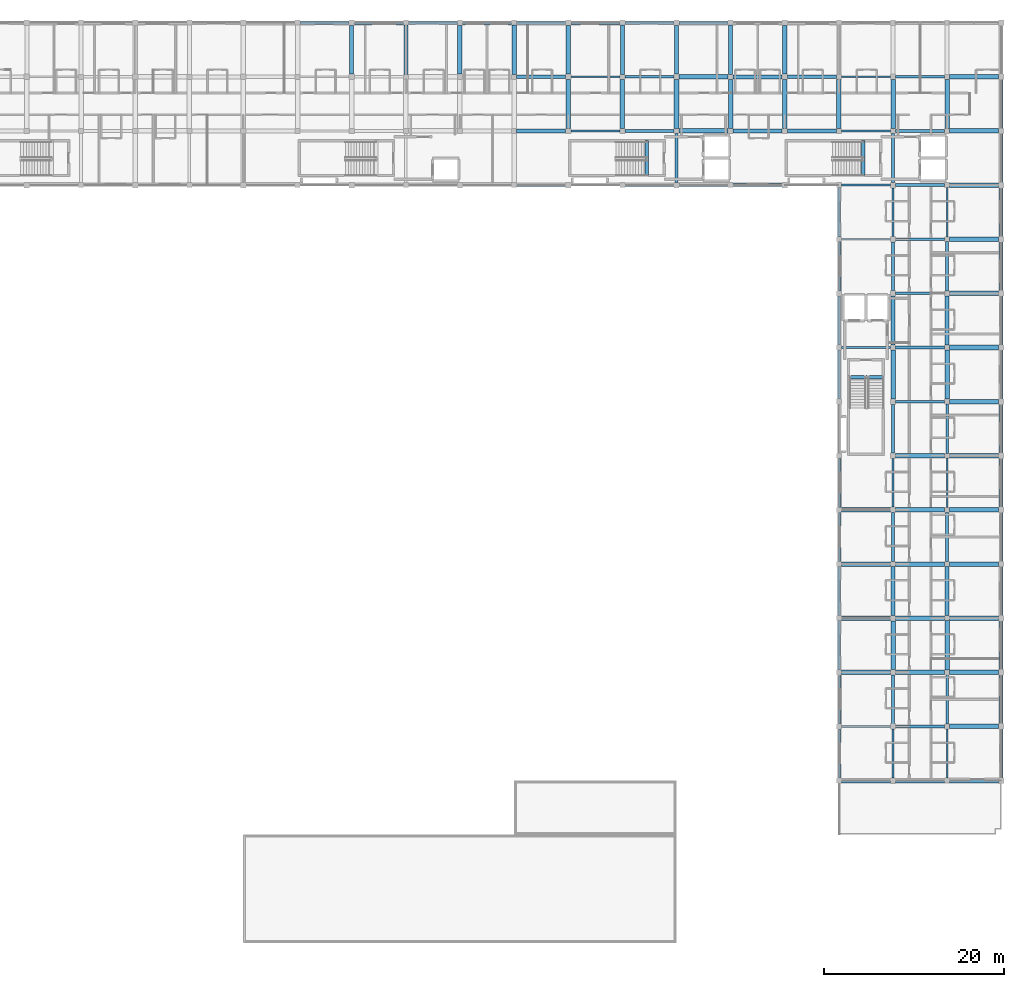
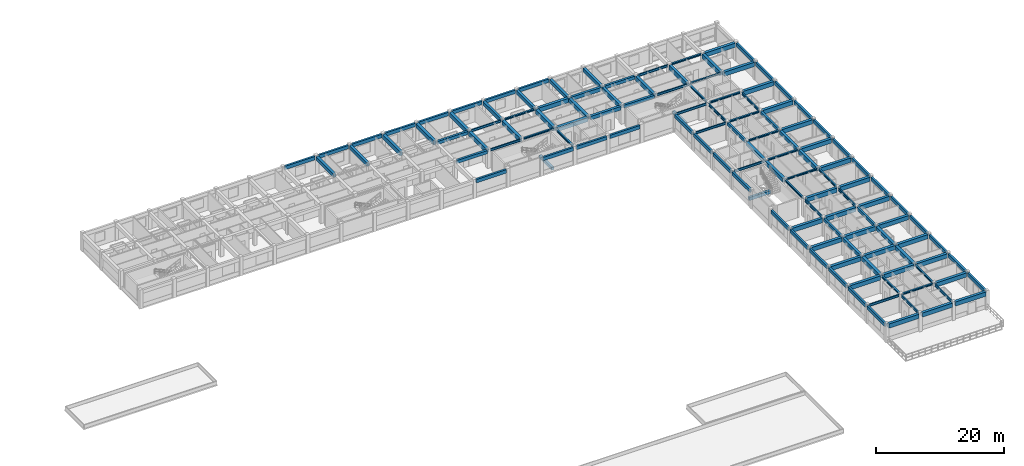
# One storey, part 2 of 25: 130 beams.
"""IFC4 building model written with IfcOpenShell, lengths in metres."""

from ifc_helpers import new_model, si_unit, direction, frame, origin, origin_2d, place, context, subcontext, project, spatial, rectangle, i_section, extrude, material, material_profile, profile_set, type_object, element, save


model = new_model("IFC4")

# Units and contexts
model_context = context("Model", 3, precision=1e-05, world=origin(), true_north=direction((0.0, 1.0)))
body_context = subcontext(model_context, "Body", "Model", "MODEL_VIEW")
ifc_project = project(units=[si_unit("LENGTHUNIT", "METRE"), si_unit("AREAUNIT", "SQUARE_METRE"), si_unit("VOLUMEUNIT", "CUBIC_METRE"), si_unit("PLANEANGLEUNIT", "RADIAN"), si_unit("MASSUNIT", "GRAM", prefix="KILO"), si_unit("THERMODYNAMICTEMPERATUREUNIT", "KELVIN"), si_unit("POWERUNIT", "WATT")], contexts=[model_context])

# Site, building, storey
site_placement = place(None, origin())
site = spatial("IfcSite", under=ifc_project, at=site_placement, CompositionType="ELEMENT")
building_placement = place(site_placement, origin())
building = spatial("IfcBuilding", under=site, at=building_placement, Name="Phaisarnlok Congress Hotel", CompositionType="ELEMENT")
storey_placement = place(building_placement, frame((0.0, 0.0, 24.60009765625)))
storey = spatial("IfcBuildingStorey", under=building, at=storey_placement, Name="L05", CompositionType="ELEMENT", Elevation=24.60009765625)

# Beams
ifc_material_1 = material(Name="Concrete C40/50", Category="concrete")
ifc_material_profile_1 = material_profile(ifc_material_1, rectangle(XDim=0.35009765625, YDim=0.550048828125, at=origin_2d()), Name="RC 350x550")
ifc_profile_set_1 = profile_set([ifc_material_profile_1], Name="Concrete C40/50")
beam_type_1 = type_object("IfcBeamType", Name="BM-RC-350x550", PredefinedType="BEAM", material=ifc_profile_set_1)
for number, where, z_axis, x_axis, name in (
    (1, (168.0, 66.294921875, 3.10498046875), (0.0, 1.0, 0.0), (-1.0, 0.0, 0.0), "Beam B-01"),
    (2, (168.0, 96.294921875, 3.10498046875), (0.0, 1.0, 0.0), (-1.0, 0.0, 0.0), "Beam B-01"),
):
    element("IfcBeam", number, at=place(storey_placement, frame(where, z_axis=z_axis, x_axis=x_axis)), inside=storey, type_object=beam_type_1, Name=name, PredefinedType="BEAM", context=body_context, shape_type="SweptSolid", body=[
        extrude(rectangle(XDim=0.35009765625, YDim=0.550048828125, at=origin_2d()), origin(), (0.0, 0.0, 1.0), 5.41015625),
    ])
for number, where, z_axis, x_axis, name in (
    (3, (174.0, 66.27001953125, 3.10498046875), (0.0, 1.0, 0.0), (-1.0, 0.0, 0.0), "Beam B-01"),
    (4, (174.0, 96.27001953125, 3.10498046875), (0.0, 1.0, 0.0), (-1.0, 0.0, 0.0), "Beam B-01"),
):
    element("IfcBeam", number, at=place(storey_placement, frame(where, z_axis=z_axis, x_axis=x_axis)), inside=storey, type_object=beam_type_1, Name=name, PredefinedType="BEAM", context=body_context, shape_type="SweptSolid", body=[
        extrude(rectangle(XDim=0.35009765625, YDim=0.550048828125, at=origin_2d()), origin(), (0.0, 0.0, 1.0), 5.4599609375),
    ])
ifc_material_profile_2 = material_profile(ifc_material_1, rectangle(XDim=0.39990234375, YDim=0.60009765625, at=origin_2d()), Name="RC 400x600")
ifc_profile_set_2 = profile_set([ifc_material_profile_2], Name="Concrete C40/50")
beam_type_2 = type_object("IfcBeamType", Name="BM-RC-400x600", PredefinedType="BEAM", material=ifc_profile_set_2)
for number, where, z_axis, x_axis, name in (
    (5, (126.27001953125, 114.0, 3.079833984375), (1.0, 0.0, 0.0), (0.0, 1.0, 0.0), "Beam B-02"),
    (6, (126.27001953125, 120.0, 3.079833984375), (1.0, 0.0, 0.0), (0.0, 1.0, 0.0), "Beam B-02"),
    (7, (156.294921875, 114.0, 3.079833984375), (1.0, 0.0, 0.0), (0.0, 1.0, 0.0), "Beam B-02"),
    (8, (156.294921875, 120.0, 3.079833984375), (1.0, 0.0, 0.0), (0.0, 1.0, 0.0), "Beam B-02"),
):
    element("IfcBeam", number, at=place(storey_placement, frame(where, z_axis=z_axis, x_axis=x_axis)), inside=storey, type_object=beam_type_2, Name=name, PredefinedType="BEAM", context=body_context, shape_type="SweptSolid", body=[
        extrude(rectangle(XDim=0.39990234375, YDim=0.60009765625, at=origin_2d()), origin(), (0.0, 0.0, 1.0), 5.43505859375),
    ])
for number, where, z_axis, x_axis, name in (
    (9, (164.719970703125, 109.080078125, -0.300048828125), (0.0, 1.0, 0.0), (-1.0, 0.0, 0.0), "Stair landing header beam B-02 (CORE-1 L05)"),
    (10, (140.719970703125, 109.080078125, -0.300048828125), (0.0, 1.0, 0.0), (-1.0, 0.0, 0.0), "Stair landing header beam B-02 (CORE-2 L05)"),
    (11, (163.080078125, 86.719970703125, -0.300048828125), (1.0, 0.0, 0.0), (0.0, 1.0, 0.0), "Stair landing header beam B-02 (CORE-3 L05)"),
):
    element("IfcBeam", number, at=place(storey_placement, frame(where, z_axis=z_axis, x_axis=x_axis)), inside=storey, type_object=beam_type_2, Name=name, PredefinedType="BEAM", context=body_context, shape_type="SweptSolid", body=[
        extrude(rectangle(XDim=0.39990234375, YDim=0.60009765625, at=origin_2d()), origin(), (0.0, 0.0, 1.0), 3.83984375),
    ])
ifc_material_profile_3 = material_profile(ifc_material_1, rectangle(XDim=0.449951171875, YDim=0.699951171875, at=origin_2d()), Name="RC 450x700")
ifc_profile_set_3 = profile_set([ifc_material_profile_3], Name="Concrete C40/50")
beam_type_3 = type_object("IfcBeamType", Name="BM-RC-450x700", PredefinedType="BEAM", material=ifc_profile_set_3)
beam_1_placement = place(storey_placement, frame((108.0, 120.294921875, 3.02978515625), z_axis=(0.0, 1.0, 0.0), x_axis=(-1.0, 0.0, 0.0)))
element("IfcBeam", 12, at=beam_1_placement, inside=storey, type_object=beam_type_3, Name="Beam B-03", PredefinedType="BEAM", context=body_context, shape_type="SweptSolid", body=[
    extrude(rectangle(XDim=0.449951171875, YDim=0.699951171875, at=origin_2d()), origin(), (0.0, 0.0, 1.0), 5.41015625),
])
for number, where, z_axis, x_axis, name in (
    (13, (114.0, 120.27001953125, 3.02978515625), (0.0, 1.0, 0.0), (-1.0, 0.0, 0.0), "Beam B-03"),
    (14, (138.0, 120.27001953125, 3.02978515625), (0.0, 1.0, 0.0), (-1.0, 0.0, 0.0), "Beam B-03"),
):
    element("IfcBeam", number, at=place(storey_placement, frame(where, z_axis=z_axis, x_axis=x_axis)), inside=storey, type_object=beam_type_3, Name=name, PredefinedType="BEAM", context=body_context, shape_type="SweptSolid", body=[
        extrude(rectangle(XDim=0.449951171875, YDim=0.699951171875, at=origin_2d()), origin(), (0.0, 0.0, 1.0), 5.4599609375),
    ])
beam_2_placement = place(storey_placement, frame((144.0, 120.294921875, 3.02978515625), z_axis=(0.0, 1.0, 0.0), x_axis=(-1.0, 0.0, 0.0)))
element("IfcBeam", 15, at=beam_2_placement, inside=storey, type_object=beam_type_3, Name="Beam B-03", PredefinedType="BEAM", context=body_context, shape_type="SweptSolid", body=[
    extrude(rectangle(XDim=0.449951171875, YDim=0.699951171875, at=origin_2d()), origin(), (0.0, 0.0, 1.0), 5.41015625),
])
for number, where, z_axis, x_axis, name in (
    (16, (150.27001953125, 114.0, 3.02978515625), (1.0, 0.0, 0.0), (0.0, 1.0, 0.0), "Beam B-03"),
    (17, (150.27001953125, 120.0, 3.02978515625), (1.0, 0.0, 0.0), (0.0, 1.0, 0.0), "Beam B-03"),
):
    element("IfcBeam", number, at=place(storey_placement, frame(where, z_axis=z_axis, x_axis=x_axis)), inside=storey, type_object=beam_type_3, Name=name, PredefinedType="BEAM", context=body_context, shape_type="SweptSolid", body=[
        extrude(rectangle(XDim=0.449951171875, YDim=0.699951171875, at=origin_2d()), origin(), (0.0, 0.0, 1.0), 5.43505859375),
    ])
beam_3_placement = place(storey_placement, frame((150.0, 120.27001953125, 3.02978515625), z_axis=(0.0, 1.0, 0.0), x_axis=(-1.0, 0.0, 0.0)))
element("IfcBeam", 18, at=beam_3_placement, inside=storey, type_object=beam_type_3, Name="Beam B-03", PredefinedType="BEAM", context=body_context, shape_type="SweptSolid", body=[
    extrude(rectangle(XDim=0.449951171875, YDim=0.699951171875, at=origin_2d()), origin(), (0.0, 0.0, 1.0), 5.4599609375),
])
for number, where, z_axis, x_axis, name in (
    (19, (156.0, 120.294921875, 3.02978515625), (0.0, 1.0, 0.0), (-1.0, 0.0, 0.0), "Beam B-03"),
    (20, (168.0, 60.294921875, 3.02978515625), (0.0, 1.0, 0.0), (-1.0, 0.0, 0.0), "Beam B-03"),
    (21, (168.0, 90.294921875, 3.02978515625), (0.0, 1.0, 0.0), (-1.0, 0.0, 0.0), "Beam B-03"),
):
    element("IfcBeam", number, at=place(storey_placement, frame(where, z_axis=z_axis, x_axis=x_axis)), inside=storey, type_object=beam_type_3, Name=name, PredefinedType="BEAM", context=body_context, shape_type="SweptSolid", body=[
        extrude(rectangle(XDim=0.449951171875, YDim=0.699951171875, at=origin_2d()), origin(), (0.0, 0.0, 1.0), 5.41015625),
    ])
for number, where, z_axis, x_axis, name in (
    (22, (174.0, 60.27001953125, 3.02978515625), (0.0, 1.0, 0.0), (-1.0, 0.0, 0.0), "Beam B-03"),
    (23, (174.0, 90.27001953125, 3.02978515625), (0.0, 1.0, 0.0), (-1.0, 0.0, 0.0), "Beam B-03"),
):
    element("IfcBeam", number, at=place(storey_placement, frame(where, z_axis=z_axis, x_axis=x_axis)), inside=storey, type_object=beam_type_3, Name=name, PredefinedType="BEAM", context=body_context, shape_type="SweptSolid", body=[
        extrude(rectangle(XDim=0.449951171875, YDim=0.699951171875, at=origin_2d()), origin(), (0.0, 0.0, 1.0), 5.4599609375),
    ])
ifc_material_profile_4 = material_profile(ifc_material_1, rectangle(XDim=0.5, YDim=0.800048828125, at=origin_2d()), Name="RC 500x800")
ifc_profile_set_4 = profile_set([ifc_material_profile_4], Name="Concrete C40/50")
beam_type_4 = type_object("IfcBeamType", Name="BM-RC-500x800", PredefinedType="BEAM", material=ifc_profile_set_4)
beam_4_placement = place(storey_placement, frame((120.0, 120.294921875, 2.97998046875), z_axis=(0.0, 1.0, 0.0), x_axis=(-1.0, 0.0, 0.0)))
element("IfcBeam", 24, at=beam_4_placement, inside=storey, type_object=beam_type_4, Name="Beam B-04", PredefinedType="BEAM", context=body_context, shape_type="SweptSolid", body=[
    extrude(rectangle(XDim=0.5, YDim=0.800048828125, at=origin_2d()), origin(), (0.0, 0.0, 1.0), 5.41015625),
])
beam_5_placement = place(storey_placement, frame((126.0, 120.27001953125, 2.97998046875), z_axis=(0.0, 1.0, 0.0), x_axis=(-1.0, 0.0, 0.0)))
element("IfcBeam", 25, at=beam_5_placement, inside=storey, type_object=beam_type_4, Name="Beam B-04", PredefinedType="BEAM", context=body_context, shape_type="SweptSolid", body=[
    extrude(rectangle(XDim=0.5, YDim=0.800048828125, at=origin_2d()), origin(), (0.0, 0.0, 1.0), 5.4599609375),
])
for number, where, z_axis, x_axis, name in (
    (26, (132.0, 114.294921875, 2.97998046875), (0.0, 1.0, 0.0), (-1.0, 0.0, 0.0), "Beam B-04"),
    (27, (132.0, 120.294921875, 2.97998046875), (0.0, 1.0, 0.0), (-1.0, 0.0, 0.0), "Beam B-04"),
):
    element("IfcBeam", number, at=place(storey_placement, frame(where, z_axis=z_axis, x_axis=x_axis)), inside=storey, type_object=beam_type_4, Name=name, PredefinedType="BEAM", context=body_context, shape_type="SweptSolid", body=[
        extrude(rectangle(XDim=0.5, YDim=0.800048828125, at=origin_2d()), origin(), (0.0, 0.0, 1.0), 5.41015625),
    ])
beam_6_placement = place(storey_placement, frame((138.0, 114.27001953125, 2.97998046875), z_axis=(0.0, 1.0, 0.0), x_axis=(-1.0, 0.0, 0.0)))
element("IfcBeam", 28, at=beam_6_placement, inside=storey, type_object=beam_type_4, Name="Beam B-04", PredefinedType="BEAM", context=body_context, shape_type="SweptSolid", body=[
    extrude(rectangle(XDim=0.5, YDim=0.800048828125, at=origin_2d()), origin(), (0.0, 0.0, 1.0), 5.4599609375),
])
beam_7_placement = place(storey_placement, frame((144.294921875, 114.0, 2.97998046875), z_axis=(1.0, 0.0, 0.0), x_axis=(0.0, 1.0, 0.0)))
element("IfcBeam", 29, at=beam_7_placement, inside=storey, type_object=beam_type_4, Name="Beam B-04", PredefinedType="BEAM", context=body_context, shape_type="SweptSolid", body=[
    extrude(rectangle(XDim=0.5, YDim=0.800048828125, at=origin_2d()), origin(), (0.0, 0.0, 1.0), 5.43505859375),
])
beam_8_placement = place(storey_placement, frame((144.0, 114.294921875, 2.97998046875), z_axis=(0.0, 1.0, 0.0), x_axis=(-1.0, 0.0, 0.0)))
element("IfcBeam", 30, at=beam_8_placement, inside=storey, type_object=beam_type_4, Name="Beam B-04", PredefinedType="BEAM", context=body_context, shape_type="SweptSolid", body=[
    extrude(rectangle(XDim=0.5, YDim=0.800048828125, at=origin_2d()), origin(), (0.0, 0.0, 1.0), 5.41015625),
])
beam_9_placement = place(storey_placement, frame((144.294921875, 120.0, 2.97998046875), z_axis=(1.0, 0.0, 0.0), x_axis=(0.0, 1.0, 0.0)))
element("IfcBeam", 31, at=beam_9_placement, inside=storey, type_object=beam_type_4, Name="Beam B-04", PredefinedType="BEAM", context=body_context, shape_type="SweptSolid", body=[
    extrude(rectangle(XDim=0.5, YDim=0.800048828125, at=origin_2d()), origin(), (0.0, 0.0, 1.0), 5.43505859375),
])
beam_10_placement = place(storey_placement, frame((150.0, 114.27001953125, 2.97998046875), z_axis=(0.0, 1.0, 0.0), x_axis=(-1.0, 0.0, 0.0)))
element("IfcBeam", 32, at=beam_10_placement, inside=storey, type_object=beam_type_4, Name="Beam B-04", PredefinedType="BEAM", context=body_context, shape_type="SweptSolid", body=[
    extrude(rectangle(XDim=0.5, YDim=0.800048828125, at=origin_2d()), origin(), (0.0, 0.0, 1.0), 5.4599609375),
])
beam_11_placement = place(storey_placement, frame((156.0, 114.294921875, 2.97998046875), z_axis=(0.0, 1.0, 0.0), x_axis=(-1.0, 0.0, 0.0)))
element("IfcBeam", 33, at=beam_11_placement, inside=storey, type_object=beam_type_4, Name="Beam B-04", PredefinedType="BEAM", context=body_context, shape_type="SweptSolid", body=[
    extrude(rectangle(XDim=0.5, YDim=0.800048828125, at=origin_2d()), origin(), (0.0, 0.0, 1.0), 5.41015625),
])
for number, where, z_axis, x_axis, name in (
    (34, (162.27001953125, 54.0, 2.97998046875), (1.0, 0.0, 0.0), (0.0, 1.0, 0.0), "Beam B-04"),
    (35, (162.27001953125, 60.0, 2.97998046875), (1.0, 0.0, 0.0), (0.0, 1.0, 0.0), "Beam B-04"),
    (36, (162.27001953125, 66.0, 2.97998046875), (1.0, 0.0, 0.0), (0.0, 1.0, 0.0), "Beam B-04"),
    (37, (162.27001953125, 72.0, 2.97998046875), (1.0, 0.0, 0.0), (0.0, 1.0, 0.0), "Beam B-04"),
):
    element("IfcBeam", number, at=place(storey_placement, frame(where, z_axis=z_axis, x_axis=x_axis)), inside=storey, type_object=beam_type_4, Name=name, PredefinedType="BEAM", context=body_context, shape_type="SweptSolid", body=[
        extrude(rectangle(XDim=0.5, YDim=0.800048828125, at=origin_2d()), origin(), (0.0, 0.0, 1.0), 5.43505859375),
    ])
beam_12_placement = place(storey_placement, frame((162.0, 114.27001953125, 2.97998046875), z_axis=(0.0, 1.0, 0.0), x_axis=(-1.0, 0.0, 0.0)))
element("IfcBeam", 38, at=beam_12_placement, inside=storey, type_object=beam_type_4, Name="Beam B-04", PredefinedType="BEAM", context=body_context, shape_type="SweptSolid", body=[
    extrude(rectangle(XDim=0.5, YDim=0.800048828125, at=origin_2d()), origin(), (0.0, 0.0, 1.0), 5.4599609375),
])
beam_13_placement = place(storey_placement, frame((168.294921875, 54.0, 2.97998046875), z_axis=(1.0, 0.0, 0.0), x_axis=(0.0, 1.0, 0.0)))
element("IfcBeam", 39, at=beam_13_placement, inside=storey, type_object=beam_type_4, Name="Beam B-04", PredefinedType="BEAM", context=body_context, shape_type="SweptSolid", body=[
    extrude(rectangle(XDim=0.5, YDim=0.800048828125, at=origin_2d()), origin(), (0.0, 0.0, 1.0), 5.43505859375),
])
beam_14_placement = place(storey_placement, frame((168.0, 54.294921875, 2.97998046875), z_axis=(0.0, 1.0, 0.0), x_axis=(-1.0, 0.0, 0.0)))
element("IfcBeam", 40, at=beam_14_placement, inside=storey, type_object=beam_type_4, Name="Beam B-04", PredefinedType="BEAM", context=body_context, shape_type="SweptSolid", body=[
    extrude(rectangle(XDim=0.5, YDim=0.800048828125, at=origin_2d()), origin(), (0.0, 0.0, 1.0), 5.41015625),
])
for number, where, z_axis, x_axis, name in (
    (41, (168.294921875, 60.0, 2.97998046875), (1.0, 0.0, 0.0), (0.0, 1.0, 0.0), "Beam B-04"),
    (42, (168.294921875, 66.0, 2.97998046875), (1.0, 0.0, 0.0), (0.0, 1.0, 0.0), "Beam B-04"),
    (43, (168.294921875, 72.0, 2.97998046875), (1.0, 0.0, 0.0), (0.0, 1.0, 0.0), "Beam B-04"),
    (44, (168.294921875, 78.0, 2.97998046875), (1.0, 0.0, 0.0), (0.0, 1.0, 0.0), "Beam B-04"),
):
    element("IfcBeam", number, at=place(storey_placement, frame(where, z_axis=z_axis, x_axis=x_axis)), inside=storey, type_object=beam_type_4, Name=name, PredefinedType="BEAM", context=body_context, shape_type="SweptSolid", body=[
        extrude(rectangle(XDim=0.5, YDim=0.800048828125, at=origin_2d()), origin(), (0.0, 0.0, 1.0), 5.43505859375),
    ])
for number, where, z_axis, x_axis, name in (
    (45, (168.0, 84.294921875, 2.97998046875), (0.0, 1.0, 0.0), (-1.0, 0.0, 0.0), "Beam B-04"),
    (46, (168.0, 114.294921875, 2.97998046875), (0.0, 1.0, 0.0), (-1.0, 0.0, 0.0), "Beam B-04"),
):
    element("IfcBeam", number, at=place(storey_placement, frame(where, z_axis=z_axis, x_axis=x_axis)), inside=storey, type_object=beam_type_4, Name=name, PredefinedType="BEAM", context=body_context, shape_type="SweptSolid", body=[
        extrude(rectangle(XDim=0.5, YDim=0.800048828125, at=origin_2d()), origin(), (0.0, 0.0, 1.0), 5.41015625),
    ])
for number, where, z_axis, x_axis, name in (
    (47, (174.27001953125, 48.0, 2.97998046875), (1.0, 0.0, 0.0), (0.0, 1.0, 0.0), "Beam B-04"),
    (48, (174.27001953125, 54.0, 2.97998046875), (1.0, 0.0, 0.0), (0.0, 1.0, 0.0), "Beam B-04"),
):
    element("IfcBeam", number, at=place(storey_placement, frame(where, z_axis=z_axis, x_axis=x_axis)), inside=storey, type_object=beam_type_4, Name=name, PredefinedType="BEAM", context=body_context, shape_type="SweptSolid", body=[
        extrude(rectangle(XDim=0.5, YDim=0.800048828125, at=origin_2d()), origin(), (0.0, 0.0, 1.0), 5.43505859375),
    ])
beam_15_placement = place(storey_placement, frame((174.0, 54.27001953125, 2.97998046875), z_axis=(0.0, 1.0, 0.0), x_axis=(-1.0, 0.0, 0.0)))
element("IfcBeam", 49, at=beam_15_placement, inside=storey, type_object=beam_type_4, Name="Beam B-04", PredefinedType="BEAM", context=body_context, shape_type="SweptSolid", body=[
    extrude(rectangle(XDim=0.5, YDim=0.800048828125, at=origin_2d()), origin(), (0.0, 0.0, 1.0), 5.4599609375),
])
for number, where, z_axis, x_axis, name in (
    (50, (174.27001953125, 60.0, 2.97998046875), (1.0, 0.0, 0.0), (0.0, 1.0, 0.0), "Beam B-04"),
    (51, (174.27001953125, 66.0, 2.97998046875), (1.0, 0.0, 0.0), (0.0, 1.0, 0.0), "Beam B-04"),
    (52, (174.27001953125, 72.0, 2.97998046875), (1.0, 0.0, 0.0), (0.0, 1.0, 0.0), "Beam B-04"),
    (53, (174.27001953125, 78.0, 2.97998046875), (1.0, 0.0, 0.0), (0.0, 1.0, 0.0), "Beam B-04"),
    (54, (174.27001953125, 84.0, 2.97998046875), (1.0, 0.0, 0.0), (0.0, 1.0, 0.0), "Beam B-04"),
):
    element("IfcBeam", number, at=place(storey_placement, frame(where, z_axis=z_axis, x_axis=x_axis)), inside=storey, type_object=beam_type_4, Name=name, PredefinedType="BEAM", context=body_context, shape_type="SweptSolid", body=[
        extrude(rectangle(XDim=0.5, YDim=0.800048828125, at=origin_2d()), origin(), (0.0, 0.0, 1.0), 5.43505859375),
    ])
beam_16_placement = place(storey_placement, frame((174.0, 84.27001953125, 2.97998046875), z_axis=(0.0, 1.0, 0.0), x_axis=(-1.0, 0.0, 0.0)))
element("IfcBeam", 55, at=beam_16_placement, inside=storey, type_object=beam_type_4, Name="Beam B-04", PredefinedType="BEAM", context=body_context, shape_type="SweptSolid", body=[
    extrude(rectangle(XDim=0.5, YDim=0.800048828125, at=origin_2d()), origin(), (0.0, 0.0, 1.0), 5.4599609375),
])
for number, where, z_axis, x_axis, name in (
    (56, (174.27001953125, 90.0, 2.97998046875), (1.0, 0.0, 0.0), (0.0, 1.0, 0.0), "Beam B-04"),
    (57, (174.27001953125, 96.0, 2.97998046875), (1.0, 0.0, 0.0), (0.0, 1.0, 0.0), "Beam B-04"),
    (58, (174.27001953125, 102.0, 2.97998046875), (1.0, 0.0, 0.0), (0.0, 1.0, 0.0), "Beam B-04"),
    (59, (174.27001953125, 108.0, 2.97998046875), (1.0, 0.0, 0.0), (0.0, 1.0, 0.0), "Beam B-04"),
    (60, (174.27001953125, 114.0, 2.97998046875), (1.0, 0.0, 0.0), (0.0, 1.0, 0.0), "Beam B-04"),
):
    element("IfcBeam", number, at=place(storey_placement, frame(where, z_axis=z_axis, x_axis=x_axis)), inside=storey, type_object=beam_type_4, Name=name, PredefinedType="BEAM", context=body_context, shape_type="SweptSolid", body=[
        extrude(rectangle(XDim=0.5, YDim=0.800048828125, at=origin_2d()), origin(), (0.0, 0.0, 1.0), 5.43505859375),
    ])
beam_17_placement = place(storey_placement, frame((174.0, 114.27001953125, 2.97998046875), z_axis=(0.0, 1.0, 0.0), x_axis=(-1.0, 0.0, 0.0)))
element("IfcBeam", 61, at=beam_17_placement, inside=storey, type_object=beam_type_4, Name="Beam B-04", PredefinedType="BEAM", context=body_context, shape_type="SweptSolid", body=[
    extrude(rectangle(XDim=0.5, YDim=0.800048828125, at=origin_2d()), origin(), (0.0, 0.0, 1.0), 5.4599609375),
])
beam_18_placement = place(storey_placement, frame((174.27001953125, 120.0, 2.97998046875), z_axis=(1.0, 0.0, 0.0), x_axis=(0.0, 1.0, 0.0)))
element("IfcBeam", 62, at=beam_18_placement, inside=storey, type_object=beam_type_4, Name="Beam B-04", PredefinedType="BEAM", context=body_context, shape_type="SweptSolid", body=[
    extrude(rectangle(XDim=0.5, YDim=0.800048828125, at=origin_2d()), origin(), (0.0, 0.0, 1.0), 5.43505859375),
])
ifc_material_2 = material(Name="Steel S355", Category="steel")
ifc_material_profile_5 = material_profile(ifc_material_2, i_section(OverallWidth=0.300048828125, OverallDepth=0.2900390625, WebThickness=0.008544921875, FlangeThickness=0.013916015625, FilletRadius=0.027099609375, at=origin_2d()), Name="HEA 300")
ifc_profile_set_5 = profile_set([ifc_material_profile_5], Name="Steel S355")
beam_type_5 = type_object("IfcBeamType", Name="BM-STL-HEA300", PredefinedType="BEAM", material=ifc_profile_set_5)
for number, where, z_axis, x_axis, name in (
    (63, (138.27001953125, 114.0, 3.23486328125), (1.0, 0.0, 0.0), (0.0, 1.0, 0.0), "Beam SB-05"),
    (64, (138.27001953125, 120.0, 3.23486328125), (1.0, 0.0, 0.0), (0.0, 1.0, 0.0), "Beam SB-05"),
    (65, (168.294921875, 48.0, 3.23486328125), (1.0, 0.0, 0.0), (0.0, 1.0, 0.0), "Beam SB-05"),
    (66, (168.294921875, 84.0, 3.23486328125), (1.0, 0.0, 0.0), (0.0, 1.0, 0.0), "Beam SB-05"),
    (67, (168.294921875, 90.0, 3.23486328125), (1.0, 0.0, 0.0), (0.0, 1.0, 0.0), "Beam SB-05"),
    (68, (168.294921875, 96.0, 3.23486328125), (1.0, 0.0, 0.0), (0.0, 1.0, 0.0), "Beam SB-05"),
    (69, (168.294921875, 102.0, 3.23486328125), (1.0, 0.0, 0.0), (0.0, 1.0, 0.0), "Beam SB-05"),
    (70, (168.294921875, 108.0, 3.23486328125), (1.0, 0.0, 0.0), (0.0, 1.0, 0.0), "Beam SB-05"),
    (71, (168.294921875, 114.0, 3.23486328125), (1.0, 0.0, 0.0), (0.0, 1.0, 0.0), "Beam SB-05"),
    (72, (168.294921875, 120.0, 3.23486328125), (1.0, 0.0, 0.0), (0.0, 1.0, 0.0), "Beam SB-05"),
):
    element("IfcBeam", number, at=place(storey_placement, frame(where, z_axis=z_axis, x_axis=x_axis)), inside=storey, type_object=beam_type_5, Name=name, PredefinedType="BEAM", context=body_context, shape_type="SweptSolid", body=[
        extrude(i_section(OverallWidth=0.300048828125, OverallDepth=0.2900390625, WebThickness=0.008544921875, FlangeThickness=0.013916015625, FilletRadius=0.027099609375, at=origin_2d()), origin(), (0.0, 0.0, 1.0), 5.43505859375),
    ])
ifc_material_profile_6 = material_profile(ifc_material_2, i_section(OverallWidth=0.300048828125, OverallDepth=0.340087890625, WebThickness=0.011962890625, FlangeThickness=0.021484375, FilletRadius=0.027099609375, at=origin_2d()), Name="HEB 340")
ifc_profile_set_6 = profile_set([ifc_material_profile_6], Name="Steel S355")
beam_type_6 = type_object("IfcBeamType", Name="BM-STL-HEB340", PredefinedType="BEAM", material=ifc_profile_set_6)
for number, where, z_axis, x_axis, name in (
    (73, (144.0, 108.294921875, 3.2099609375), (0.0, 1.0, 0.0), (-1.0, 0.0, 0.0), "Beam SB-07"),
    (74, (168.0, 48.294921875, 3.2099609375), (0.0, 1.0, 0.0), (-1.0, 0.0, 0.0), "Beam SB-07"),
    (75, (168.0, 78.294921875, 3.2099609375), (0.0, 1.0, 0.0), (-1.0, 0.0, 0.0), "Beam SB-07"),
    (76, (168.0, 108.294921875, 3.2099609375), (0.0, 1.0, 0.0), (-1.0, 0.0, 0.0), "Beam SB-07"),
):
    element("IfcBeam", number, at=place(storey_placement, frame(where, z_axis=z_axis, x_axis=x_axis)), inside=storey, type_object=beam_type_6, Name=name, PredefinedType="BEAM", context=body_context, shape_type="SweptSolid", body=[
        extrude(i_section(OverallWidth=0.300048828125, OverallDepth=0.340087890625, WebThickness=0.011962890625, FlangeThickness=0.021484375, FilletRadius=0.027099609375, at=origin_2d()), origin(), (0.0, 0.0, 1.0), 5.41015625),
    ])
for number, where, z_axis, x_axis, name in (
    (77, (174.0, 48.27001953125, 3.2099609375), (0.0, 1.0, 0.0), (-1.0, 0.0, 0.0), "Beam SB-07"),
    (78, (174.0, 78.27001953125, 3.2099609375), (0.0, 1.0, 0.0), (-1.0, 0.0, 0.0), "Beam SB-07"),
):
    element("IfcBeam", number, at=place(storey_placement, frame(where, z_axis=z_axis, x_axis=x_axis)), inside=storey, type_object=beam_type_6, Name=name, PredefinedType="BEAM", context=body_context, shape_type="SweptSolid", body=[
        extrude(i_section(OverallWidth=0.300048828125, OverallDepth=0.340087890625, WebThickness=0.011962890625, FlangeThickness=0.021484375, FilletRadius=0.027099609375, at=origin_2d()), origin(), (0.0, 0.0, 1.0), 5.4599609375),
    ])
ifc_material_profile_7 = material_profile(ifc_material_2, i_section(OverallWidth=0.18994140625, OverallDepth=0.449951171875, WebThickness=0.009521484375, FlangeThickness=0.0146484375, FilletRadius=0.02099609375, at=origin_2d()), Name="IPE 450")
ifc_profile_set_7 = profile_set([ifc_material_profile_7], Name="Steel S355")
beam_type_7 = type_object("IfcBeamType", Name="BM-STL-IPE450", PredefinedType="BEAM", material=ifc_profile_set_7)
for number, where, z_axis, x_axis, name in (
    (79, (132.294921875, 114.0, 3.15478515625), (1.0, 0.0, 0.0), (0.0, 1.0, 0.0), "Beam SB-01"),
    (80, (132.294921875, 120.0, 3.15478515625), (1.0, 0.0, 0.0), (0.0, 1.0, 0.0), "Beam SB-01"),
    (81, (162.27001953125, 48.0, 3.15478515625), (1.0, 0.0, 0.0), (0.0, 1.0, 0.0), "Beam SB-01"),
    (82, (162.27001953125, 90.0, 3.15478515625), (1.0, 0.0, 0.0), (0.0, 1.0, 0.0), "Beam SB-01"),
    (83, (162.27001953125, 102.0, 3.15478515625), (1.0, 0.0, 0.0), (0.0, 1.0, 0.0), "Beam SB-01"),
    (84, (162.27001953125, 108.0, 3.15478515625), (1.0, 0.0, 0.0), (0.0, 1.0, 0.0), "Beam SB-01"),
    (85, (162.27001953125, 114.0, 3.15478515625), (1.0, 0.0, 0.0), (0.0, 1.0, 0.0), "Beam SB-01"),
    (86, (162.27001953125, 120.0, 3.15478515625), (1.0, 0.0, 0.0), (0.0, 1.0, 0.0), "Beam SB-01"),
):
    element("IfcBeam", number, at=place(storey_placement, frame(where, z_axis=z_axis, x_axis=x_axis)), inside=storey, type_object=beam_type_7, Name=name, PredefinedType="BEAM", context=body_context, shape_type="SweptSolid", body=[
        extrude(i_section(OverallWidth=0.18994140625, OverallDepth=0.449951171875, WebThickness=0.009521484375, FlangeThickness=0.0146484375, FilletRadius=0.02099609375, at=origin_2d()), origin(), (0.0, 0.0, 1.0), 5.43505859375),
    ])
ifc_material_profile_8 = material_profile(ifc_material_2, i_section(OverallWidth=0.199951171875, OverallDepth=0.5, WebThickness=0.01025390625, FlangeThickness=0.01611328125, FilletRadius=0.02099609375, at=origin_2d()), Name="IPE 500")
ifc_profile_set_8 = profile_set([ifc_material_profile_8], Name="Steel S355")
beam_type_8 = type_object("IfcBeamType", Name="BM-STL-IPE500", PredefinedType="BEAM", material=ifc_profile_set_8)
for number, where, z_axis, x_axis, name in (
    (87, (168.0, 42.294921875, 3.1298828125), (0.0, 1.0, 0.0), (-1.0, 0.0, 0.0), "Beam SB-02"),
    (88, (168.0, 72.294921875, 3.1298828125), (0.0, 1.0, 0.0), (-1.0, 0.0, 0.0), "Beam SB-02"),
    (89, (168.0, 102.294921875, 3.1298828125), (0.0, 1.0, 0.0), (-1.0, 0.0, 0.0), "Beam SB-02"),
):
    element("IfcBeam", number, at=place(storey_placement, frame(where, z_axis=z_axis, x_axis=x_axis)), inside=storey, type_object=beam_type_8, Name=name, PredefinedType="BEAM", context=body_context, shape_type="SweptSolid", body=[
        extrude(i_section(OverallWidth=0.199951171875, OverallDepth=0.5, WebThickness=0.01025390625, FlangeThickness=0.01611328125, FilletRadius=0.02099609375, at=origin_2d()), origin(), (0.0, 0.0, 1.0), 5.41015625),
    ])
for number, where, z_axis, x_axis, name in (
    (90, (174.0, 42.27001953125, 3.1298828125), (0.0, 1.0, 0.0), (-1.0, 0.0, 0.0), "Beam SB-02"),
    (91, (174.0, 72.27001953125, 3.1298828125), (0.0, 1.0, 0.0), (-1.0, 0.0, 0.0), "Beam SB-02"),
    (92, (174.0, 102.27001953125, 3.1298828125), (0.0, 1.0, 0.0), (-1.0, 0.0, 0.0), "Beam SB-02"),
):
    element("IfcBeam", number, at=place(storey_placement, frame(where, z_axis=z_axis, x_axis=x_axis)), inside=storey, type_object=beam_type_8, Name=name, PredefinedType="BEAM", context=body_context, shape_type="SweptSolid", body=[
        extrude(i_section(OverallWidth=0.199951171875, OverallDepth=0.5, WebThickness=0.01025390625, FlangeThickness=0.01611328125, FilletRadius=0.02099609375, at=origin_2d()), origin(), (0.0, 0.0, 1.0), 5.4599609375),
    ])
ifc_material_profile_9 = material_profile(ifc_material_1, rectangle(XDim=0.35009765625, YDim=0.64990234375, at=origin_2d()), Name="RC 350x650")
ifc_profile_set_9 = profile_set([ifc_material_profile_9], Name="Concrete C40/50")
beam_type_9 = type_object("IfcBeamType", Name="SP-RC-350x650", PredefinedType="SPANDREL", material=ifc_profile_set_9)
for number, where, z_axis, x_axis, name in (
    (93, (102.27001953125, 126.0, 3.054931640625), (1.0, 0.0, 0.0), (0.0, 1.0, 0.0), "Beam SP-01"),
    (94, (108.294921875, 126.0, 3.054931640625), (1.0, 0.0, 0.0), (0.0, 1.0, 0.0), "Beam SP-01"),
    (95, (114.27001953125, 126.0, 3.054931640625), (1.0, 0.0, 0.0), (0.0, 1.0, 0.0), "Beam SP-01"),
    (96, (120.294921875, 126.0, 3.054931640625), (1.0, 0.0, 0.0), (0.0, 1.0, 0.0), "Beam SP-01"),
    (97, (126.27001953125, 108.0, 3.054931640625), (1.0, 0.0, 0.0), (0.0, 1.0, 0.0), "Beam SP-01"),
    (98, (126.27001953125, 126.0, 3.054931640625), (1.0, 0.0, 0.0), (0.0, 1.0, 0.0), "Beam SP-01"),
    (99, (132.294921875, 126.0, 3.054931640625), (1.0, 0.0, 0.0), (0.0, 1.0, 0.0), "Beam SP-01"),
    (100, (138.27001953125, 108.0, 3.054931640625), (1.0, 0.0, 0.0), (0.0, 1.0, 0.0), "Beam SP-01"),
    (101, (138.27001953125, 126.0, 3.054931640625), (1.0, 0.0, 0.0), (0.0, 1.0, 0.0), "Beam SP-01"),
    (102, (144.294921875, 108.0, 3.054931640625), (1.0, 0.0, 0.0), (0.0, 1.0, 0.0), "Beam SP-01"),
    (103, (144.294921875, 126.0, 3.054931640625), (1.0, 0.0, 0.0), (0.0, 1.0, 0.0), "Beam SP-01"),
    (104, (150.27001953125, 108.0, 3.054931640625), (1.0, 0.0, 0.0), (0.0, 1.0, 0.0), "Beam SP-01"),
):
    element("IfcBeam", number, at=place(storey_placement, frame(where, z_axis=z_axis, x_axis=x_axis)), inside=storey, type_object=beam_type_9, Name=name, PredefinedType="SPANDREL", context=body_context, shape_type="SweptSolid", body=[
        extrude(rectangle(XDim=0.35009765625, YDim=0.64990234375, at=origin_2d()), origin(), (0.0, 0.0, 1.0), 5.43505859375),
    ])
for number, where, z_axis, x_axis, name in (
    (105, (162.0, 42.27001953125, 3.054931640625), (0.0, 1.0, 0.0), (-1.0, 0.0, 0.0), "Beam SP-01"),
    (106, (162.0, 48.27001953125, 3.054931640625), (0.0, 1.0, 0.0), (-1.0, 0.0, 0.0), "Beam SP-01"),
    (107, (162.0, 54.27001953125, 3.054931640625), (0.0, 1.0, 0.0), (-1.0, 0.0, 0.0), "Beam SP-01"),
    (108, (162.0, 60.27001953125, 3.054931640625), (0.0, 1.0, 0.0), (-1.0, 0.0, 0.0), "Beam SP-01"),
    (109, (162.0, 66.27001953125, 3.054931640625), (0.0, 1.0, 0.0), (-1.0, 0.0, 0.0), "Beam SP-01"),
    (110, (162.0, 72.27001953125, 3.054931640625), (0.0, 1.0, 0.0), (-1.0, 0.0, 0.0), "Beam SP-01"),
    (111, (162.0, 84.27001953125, 3.054931640625), (0.0, 1.0, 0.0), (-1.0, 0.0, 0.0), "Beam SP-01"),
    (112, (162.0, 90.27001953125, 3.054931640625), (0.0, 1.0, 0.0), (-1.0, 0.0, 0.0), "Beam SP-01"),
    (113, (162.0, 96.27001953125, 3.054931640625), (0.0, 1.0, 0.0), (-1.0, 0.0, 0.0), "Beam SP-01"),
    (114, (162.0, 102.27001953125, 3.054931640625), (0.0, 1.0, 0.0), (-1.0, 0.0, 0.0), "Beam SP-01"),
):
    element("IfcBeam", number, at=place(storey_placement, frame(where, z_axis=z_axis, x_axis=x_axis)), inside=storey, type_object=beam_type_9, Name=name, PredefinedType="SPANDREL", context=body_context, shape_type="SweptSolid", body=[
        extrude(rectangle(XDim=0.35009765625, YDim=0.64990234375, at=origin_2d()), origin(), (0.0, 0.0, 1.0), 5.4599609375),
    ])
for number, where, z_axis, x_axis, name in (
    (115, (180.0, 42.294921875, 3.054931640625), (0.0, 1.0, 0.0), (-1.0, 0.0, 0.0), "Beam SP-01"),
    (116, (180.0, 48.294921875, 3.054931640625), (0.0, 1.0, 0.0), (-1.0, 0.0, 0.0), "Beam SP-01"),
    (117, (180.0, 54.294921875, 3.054931640625), (0.0, 1.0, 0.0), (-1.0, 0.0, 0.0), "Beam SP-01"),
    (118, (180.0, 60.294921875, 3.054931640625), (0.0, 1.0, 0.0), (-1.0, 0.0, 0.0), "Beam SP-01"),
    (119, (180.0, 66.294921875, 3.054931640625), (0.0, 1.0, 0.0), (-1.0, 0.0, 0.0), "Beam SP-01"),
    (120, (180.0, 72.294921875, 3.054931640625), (0.0, 1.0, 0.0), (-1.0, 0.0, 0.0), "Beam SP-01"),
    (121, (180.0, 78.294921875, 3.054931640625), (0.0, 1.0, 0.0), (-1.0, 0.0, 0.0), "Beam SP-01"),
    (122, (180.0, 84.294921875, 3.054931640625), (0.0, 1.0, 0.0), (-1.0, 0.0, 0.0), "Beam SP-01"),
    (123, (180.0, 90.294921875, 3.054931640625), (0.0, 1.0, 0.0), (-1.0, 0.0, 0.0), "Beam SP-01"),
    (124, (180.0, 96.294921875, 3.054931640625), (0.0, 1.0, 0.0), (-1.0, 0.0, 0.0), "Beam SP-01"),
    (125, (180.0, 102.294921875, 3.054931640625), (0.0, 1.0, 0.0), (-1.0, 0.0, 0.0), "Beam SP-01"),
    (126, (180.0, 108.294921875, 3.054931640625), (0.0, 1.0, 0.0), (-1.0, 0.0, 0.0), "Beam SP-01"),
    (127, (180.0, 114.294921875, 3.054931640625), (0.0, 1.0, 0.0), (-1.0, 0.0, 0.0), "Beam SP-01"),
):
    element("IfcBeam", number, at=place(storey_placement, frame(where, z_axis=z_axis, x_axis=x_axis)), inside=storey, type_object=beam_type_9, Name=name, PredefinedType="SPANDREL", context=body_context, shape_type="SweptSolid", body=[
        extrude(rectangle(XDim=0.35009765625, YDim=0.64990234375, at=origin_2d()), origin(), (0.0, 0.0, 1.0), 5.41015625),
    ])
ifc_material_profile_10 = material_profile(ifc_material_1, rectangle(XDim=0.5, YDim=0.800048828125, at=origin_2d()), Name="RC 500x800")
ifc_profile_set_10 = profile_set([ifc_material_profile_10], Name="Concrete C40/50")
beam_type_10 = type_object("IfcBeamType", Name="SP-RC-500x800", PredefinedType="SPANDREL", material=ifc_profile_set_10)
for number, where, z_axis, x_axis, name in (
    (128, (162.27001953125, 42.0, 2.97998046875), (1.0, 0.0, 0.0), (0.0, 1.0, 0.0), "Beam SP-04"),
    (129, (168.294921875, 42.0, 2.97998046875), (1.0, 0.0, 0.0), (0.0, 1.0, 0.0), "Beam SP-04"),
    (130, (174.27001953125, 42.0, 2.97998046875), (1.0, 0.0, 0.0), (0.0, 1.0, 0.0), "Beam SP-04"),
):
    element("IfcBeam", number, at=place(storey_placement, frame(where, z_axis=z_axis, x_axis=x_axis)), inside=storey, type_object=beam_type_10, Name=name, PredefinedType="SPANDREL", context=body_context, shape_type="SweptSolid", body=[
        extrude(rectangle(XDim=0.5, YDim=0.800048828125, at=origin_2d()), origin(), (0.0, 0.0, 1.0), 5.43505859375),
    ])

save(model, "model.ifc")
